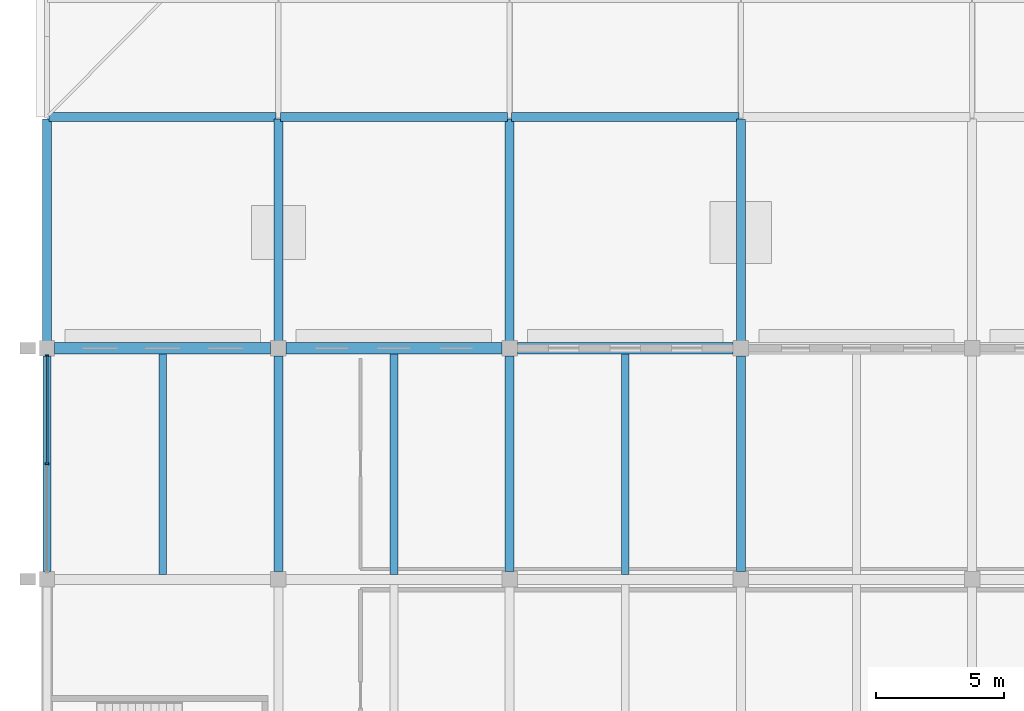
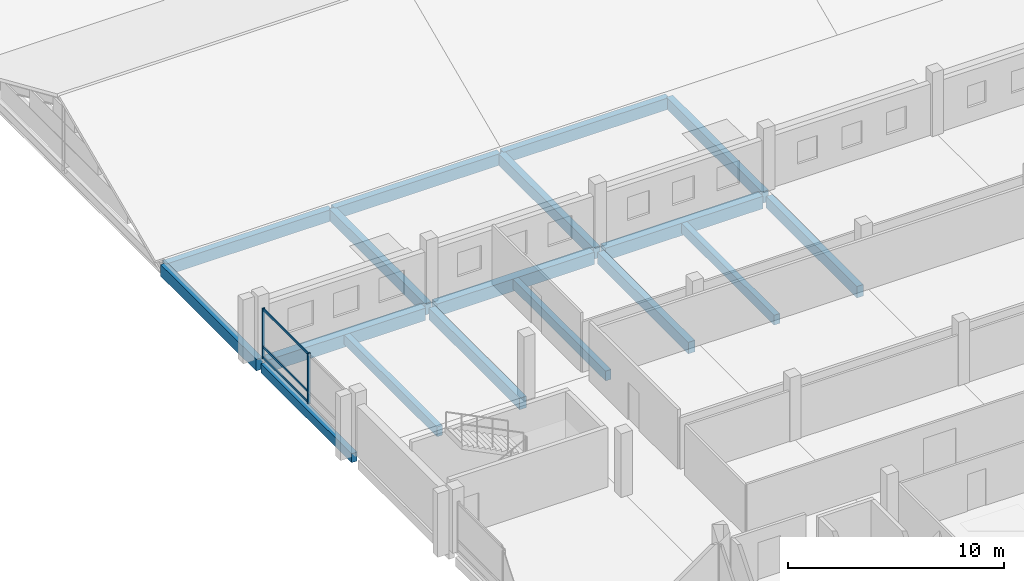
# One storey, part 14 of 163: 17 beams, 5 members, 1 element without a shape of its own.
"""IFC4 building model written with IfcOpenShell, lengths in metres."""

from ifc_helpers import new_model, si_unit, direction, frame, origin, origin_2d, place, context, subcontext, project, spatial, rectangle, extrude, material, material_profile, profile_set, type_object, element, aggregate, save


model = new_model("IFC4")

# Units and contexts
model_context = context("Model", 3, precision=1e-05, world=origin(), true_north=direction((0.0, 1.0)))
body_context = subcontext(model_context, "Body", "Model", "MODEL_VIEW")
ifc_project = project(units=[si_unit("LENGTHUNIT", "METRE"), si_unit("AREAUNIT", "SQUARE_METRE"), si_unit("VOLUMEUNIT", "CUBIC_METRE"), si_unit("PLANEANGLEUNIT", "RADIAN"), si_unit("MASSUNIT", "GRAM", prefix="KILO")], contexts=[model_context])

# Site, building, storey
site_placement = place(None, origin())
site = spatial("IfcSite", under=ifc_project, at=site_placement, CompositionType="ELEMENT")
building_placement = place(site_placement, origin())
building = spatial("IfcBuilding", under=site, at=building_placement, Name="Tharagai Park Tramway Depot", CompositionType="ELEMENT")
storey_placement = place(building_placement, frame((0.0, 0.0, 8.39990234375)))
storey = spatial("IfcBuildingStorey", under=building, at=storey_placement, Name="L02", CompositionType="ELEMENT", Elevation=8.39990234375)

# Beams
ifc_material_1 = material(Name="Concrete M35", Category="concrete")
ifc_material_profile_1 = material_profile(ifc_material_1, rectangle(XDim=0.35009765625, YDim=0.64990234375, at=origin_2d()), Name="RC 350x650")
ifc_profile_set_1 = profile_set([ifc_material_profile_1], Name="Concrete M35")
beam_type_1 = type_object("IfcBeamType", Name="BM-13", PredefinedType="BEAM", material=ifc_profile_set_1)
for number, where, z_axis, x_axis, name in (
    (1, (9.0, 27.300048828125, -0.574951171875), (0.0, 1.0, 0.0), (-1.0, 0.0, 0.0), "L02 Grid Beam BM-13"),
    (2, (18.0, 27.300048828125, -0.574951171875), (0.0, 1.0, 0.0), (-1.0, 0.0, 0.0), "L02 Grid Beam BM-13"),
    (3, (27.0, 27.300048828125, -0.574951171875), (0.0, 1.0, 0.0), (-1.0, 0.0, 0.0), "L02 Grid Beam BM-13"),
):
    element("IfcBeam", number, at=place(storey_placement, frame(where, z_axis=z_axis, x_axis=x_axis)), inside=storey, type_object=beam_type_1, Name=name, PredefinedType="BEAM", context=body_context, shape_type="SweptSolid", body=[
        extrude(rectangle(XDim=0.35009765625, YDim=0.64990234375, at=origin_2d()), origin(), (0.0, 0.0, 1.0), 8.39990234375),
    ])
for number, where, z_axis, x_axis, name in (
    (4, (0.0, 36.080078125, -0.56494140625), (0.0, 1.0, 0.0), (-1.0, 0.0, 0.0), "L02 Roof Support Beam BM-13"),
    (5, (9.0, 36.080078125, -0.56494140625), (0.0, 1.0, 0.0), (-1.0, 0.0, 0.0), "L02 Roof Support Beam BM-13"),
    (6, (18.0, 36.080078125, -0.56494140625), (0.0, 1.0, 0.0), (-1.0, 0.0, 0.0), "L02 Roof Support Beam BM-13"),
    (7, (27.0, 36.080078125, -0.56494140625), (0.0, 1.0, 0.0), (-1.0, 0.0, 0.0), "L02 Roof Support Beam BM-13"),
    (8, (0.080078125, 45.0, -0.56494140625), (1.0, 0.0, 0.0), (0.0, 1.0, 0.0), "L02 Roof Support Beam BM-13"),
    (9, (9.080078125, 45.0, -0.56494140625), (1.0, 0.0, 0.0), (0.0, 1.0, 0.0), "L02 Roof Support Beam BM-13"),
    (10, (18.080078125, 45.0, -0.56494140625), (1.0, 0.0, 0.0), (0.0, 1.0, 0.0), "L02 Roof Support Beam BM-13"),
):
    element("IfcBeam", number, at=place(storey_placement, frame(where, z_axis=z_axis, x_axis=x_axis)), inside=storey, type_object=beam_type_1, Name=name, PredefinedType="BEAM", context=body_context, shape_type="SweptSolid", body=[
        extrude(rectangle(XDim=0.35009765625, YDim=0.64990234375, at=origin_2d()), origin(), (0.0, 0.0, 1.0), 8.83984375),
    ])

# Curtain wall, members
ifc_material_2 = material(Name="Anodised aluminium", Category="aluminium")
curtain_wall_type = type_object("IfcCurtainWallType", Name="CW-07", PredefinedType="NOTDEFINED", material=ifc_material_2)
curtain_wall_placement = place(storey_placement, origin())
curtain_wall = element("IfcCurtainWall", 11, at=curtain_wall_placement, inside=storey, type_object=curtain_wall_type, Name="L02 V4 Side Mullioned Curtain Wall CW-07", PredefinedType="NOTDEFINED")
ifc_material_profile_2 = material_profile(ifc_material_2, rectangle(XDim=0.06494140625, YDim=0.1201171875, at=origin_2d()), Name="ALU 65x120")
ifc_profile_set_2 = profile_set([ifc_material_profile_2], Name="Anodised aluminium")
member_type_1 = type_object("IfcMemberType", Name="CM-01", PredefinedType="USERDEFINED", material=ifc_profile_set_2)
member_1_placement = place(storey_placement, frame((0.0, 31.514892578125, 0.06005859375), z_axis=(0.0, 1.0, 0.0), x_axis=(-1.0, 0.0, 0.0)))
member_1 = element("IfcMember", 12, at=member_1_placement, type_object=member_type_1, Name="L02 V4 Side Mullioned Curtain Wall Transom 2.1", ObjectType="TRANSOM", PredefinedType="USERDEFINED", context=body_context, shape_type="SweptSolid", body=[
    extrude(rectangle(XDim=0.06494140625, YDim=0.1201171875, at=origin_2d()), origin(), (0.0, 0.0, 1.0), 4.18017578125),
])
member_2_placement = place(storey_placement, frame((0.0, 31.514892578125, 0.650146484375), z_axis=(0.0, 1.0, 0.0), x_axis=(-1.0, 0.0, 0.0)))
member_2 = element("IfcMember", 13, at=member_2_placement, type_object=member_type_1, Name="L02 V4 Side Mullioned Curtain Wall Transom 2.2", ObjectType="TRANSOM", PredefinedType="USERDEFINED", context=body_context, shape_type="SweptSolid", body=[
    extrude(rectangle(XDim=0.06494140625, YDim=0.1201171875, at=origin_2d()), origin(), (0.0, 0.0, 1.0), 4.18017578125),
])
member_3_placement = place(storey_placement, frame((0.0, 31.514892578125, 2.77001953125), z_axis=(0.0, 1.0, 0.0), x_axis=(-1.0, 0.0, 0.0)))
member_3 = element("IfcMember", 14, at=member_3_placement, type_object=member_type_1, Name="L02 V4 Side Mullioned Curtain Wall Transom 2.3", ObjectType="TRANSOM", PredefinedType="USERDEFINED", context=body_context, shape_type="SweptSolid", body=[
    extrude(rectangle(XDim=0.06494140625, YDim=0.1201171875, at=origin_2d()), origin(), (0.0, 0.0, 1.0), 4.18017578125),
])
ifc_material_profile_3 = material_profile(ifc_material_2, rectangle(XDim=0.06494140625, YDim=0.14990234375, at=origin_2d()), Name="ALU 65x150")
ifc_profile_set_3 = profile_set([ifc_material_profile_3], Name="Anodised aluminium")
member_type_2 = type_object("IfcMemberType", Name="CM-03", PredefinedType="MULLION", material=ifc_profile_set_3)
member_4_placement = place(storey_placement, frame((0.0, 31.5, -0.0048828125), z_axis=(0.0, 0.0, 1.0), x_axis=(0.0, 1.0, 0.0)))
member_4 = element("IfcMember", 15, at=member_4_placement, type_object=member_type_2, Name="L02 V4 Side Mullioned Curtain Wall Mullion 2", PredefinedType="MULLION", context=body_context, shape_type="SweptSolid", body=[
    extrude(rectangle(XDim=0.06494140625, YDim=0.14990234375, at=origin_2d()), origin(), (0.0, 0.0, 1.0), 2.85986328125),
])
member_5_placement = place(storey_placement, frame((0.0, 35.7099609375, -0.0048828125), z_axis=(0.0, 0.0, 1.0), x_axis=(0.0, 1.0, 0.0)))
member_5 = element("IfcMember", 16, at=member_5_placement, type_object=member_type_2, Name="L02 V4 Side Mullioned Curtain Wall Mullion 3", PredefinedType="MULLION", context=body_context, shape_type="SweptSolid", body=[
    extrude(rectangle(XDim=0.06494140625, YDim=0.14990234375, at=origin_2d()), origin(), (0.0, 0.0, 1.0), 2.85986328125),
])
aggregate(curtain_wall, [member_4, member_5, member_1, member_2, member_3])

# Beams
ifc_material_profile_4 = material_profile(ifc_material_1, rectangle(XDim=0.300048828125, YDim=0.550048828125, at=origin_2d()), Name="RC 300x550")
ifc_profile_set_4 = profile_set([ifc_material_profile_4], Name="Concrete M35")
beam_type_2 = type_object("IfcBeamType", Name="JT-06", PredefinedType="JOIST", material=ifc_profile_set_4)
for number, where, z_axis, x_axis, name in (
    (17, (4.5, 27.199951171875, -0.52490234375), (0.0, 1.0, 0.0), (-1.0, 0.0, 0.0), "L02 Secondary Joist JT-06"),
    (18, (13.5, 27.199951171875, -0.52490234375), (0.0, 1.0, 0.0), (-1.0, 0.0, 0.0), "L02 Secondary Joist JT-06"),
    (19, (22.5, 27.199951171875, -0.52490234375), (0.0, 1.0, 0.0), (-1.0, 0.0, 0.0), "L02 Secondary Joist JT-06"),
):
    element("IfcBeam", number, at=place(storey_placement, frame(where, z_axis=z_axis, x_axis=x_axis)), inside=storey, type_object=beam_type_2, Name=name, PredefinedType="JOIST", context=body_context, shape_type="SweptSolid", body=[
        extrude(rectangle(XDim=0.300048828125, YDim=0.550048828125, at=origin_2d()), origin(), (0.0, 0.0, 1.0), 8.574951171875),
    ])
ifc_material_profile_5 = material_profile(ifc_material_1, rectangle(XDim=0.449951171875, YDim=0.699951171875, at=origin_2d()), Name="RC 450x700")
ifc_profile_set_5 = profile_set([ifc_material_profile_5], Name="Concrete M35")
beam_type_3 = type_object("IfcBeamType", Name="SP-01", PredefinedType="SPANDREL", material=ifc_profile_set_5)
for number, where, z_axis, x_axis, name in (
    (20, (0.300048828125, 36.0, -0.599853515625), (1.0, 0.0, 0.0), (0.0, 1.0, 0.0), "L02 Grid Beam SP-01"),
    (21, (9.300048828125, 36.0, -0.599853515625), (1.0, 0.0, 0.0), (0.0, 1.0, 0.0), "L02 Grid Beam SP-01"),
    (22, (18.300048828125, 36.0, -0.599853515625), (1.0, 0.0, 0.0), (0.0, 1.0, 0.0), "L02 Grid Beam SP-01"),
):
    element("IfcBeam", number, at=place(storey_placement, frame(where, z_axis=z_axis, x_axis=x_axis)), inside=storey, type_object=beam_type_3, Name=name, PredefinedType="SPANDREL", context=body_context, shape_type="SweptSolid", body=[
        extrude(rectangle(XDim=0.449951171875, YDim=0.699951171875, at=origin_2d()), origin(), (0.0, 0.0, 1.0), 8.39990234375),
    ])
ifc_material_profile_6 = material_profile(ifc_material_1, rectangle(XDim=0.300048828125, YDim=0.5, at=origin_2d()), Name="RC 300x500")
ifc_profile_set_6 = profile_set([ifc_material_profile_6], Name="Concrete M35")
beam_type_4 = type_object("IfcBeamType", Name="SP-03", PredefinedType="SPANDREL", material=ifc_profile_set_6)
beam_placement = place(storey_placement, frame((0.0, 27.300048828125, -0.5), z_axis=(0.0, 1.0, 0.0), x_axis=(-1.0, 0.0, 0.0)))
element("IfcBeam", 23, at=beam_placement, inside=storey, type_object=beam_type_4, Name="L02 Grid Beam SP-03", PredefinedType="SPANDREL", context=body_context, shape_type="SweptSolid", body=[
    extrude(rectangle(XDim=0.300048828125, YDim=0.5, at=origin_2d()), origin(), (0.0, 0.0, 1.0), 8.39990234375),
])

save(model, "model.ifc")
